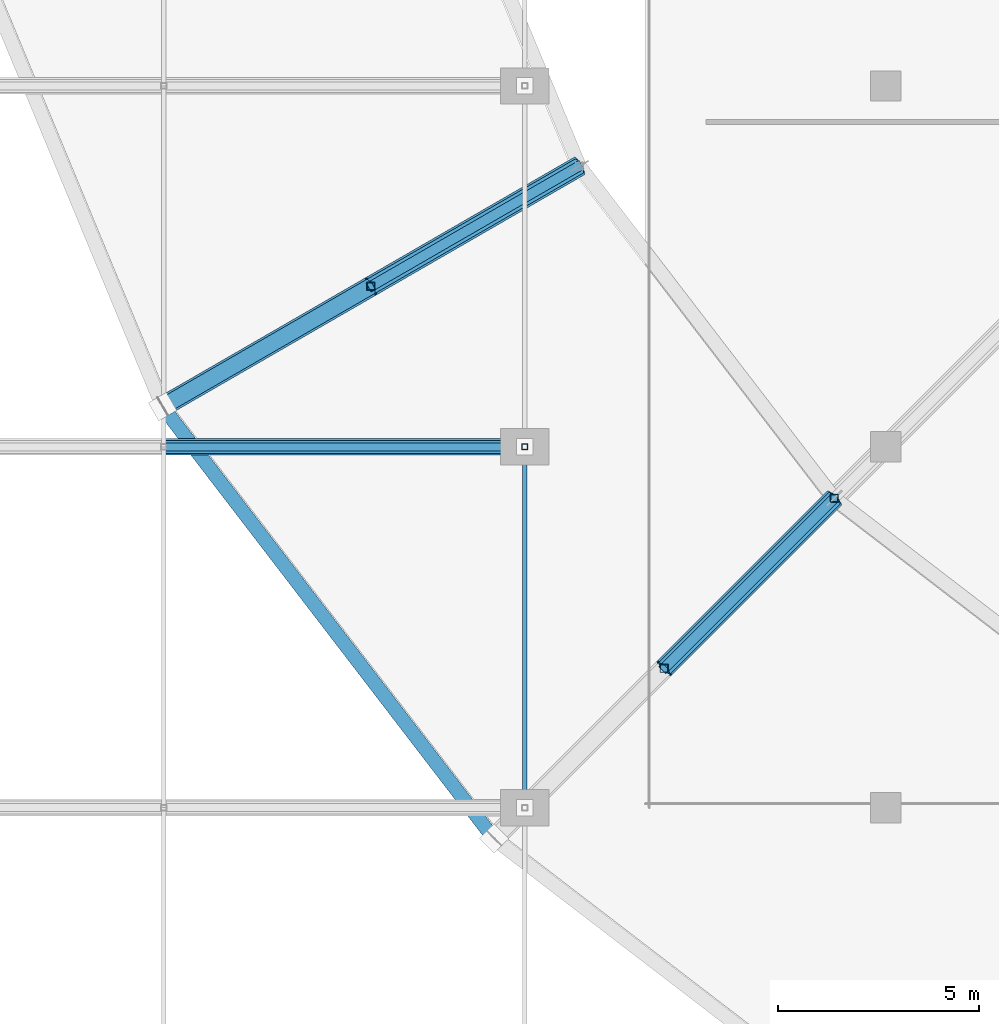
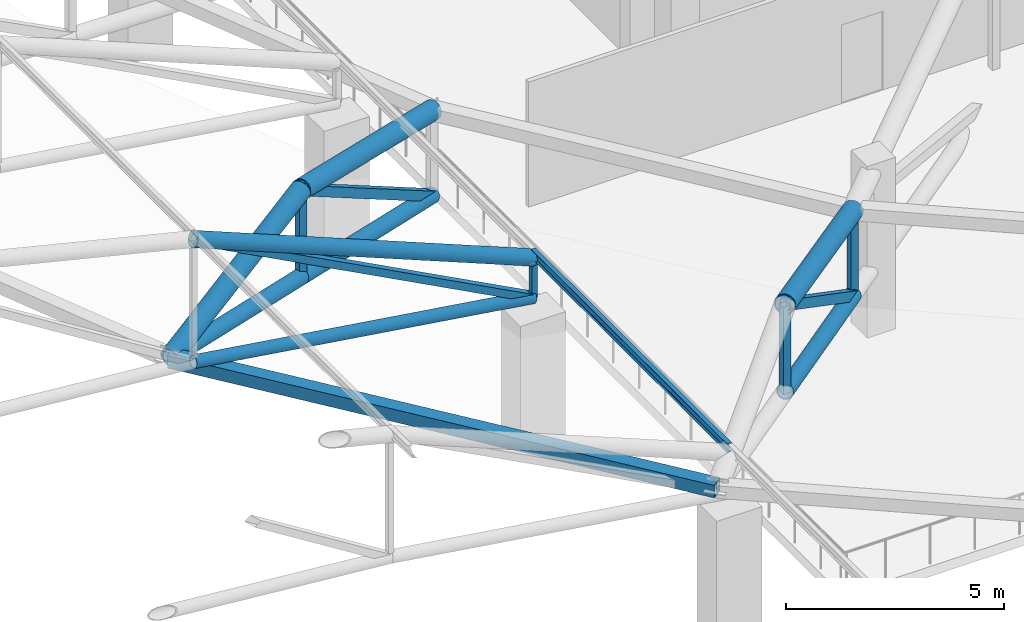
# One storey, part 20 of 167: 17 members.
"""IFC4 building model written with IfcOpenShell, lengths in metres."""

from ifc_helpers import new_model, si_unit, direction, frame, origin, origin_2d, place, context, subcontext, project, spatial, hollow_rectangle, hollow_circle, i_section, extrude, material, material_profile, profile_set, type_object, element, save


model = new_model("IFC4")

# Units and contexts
model_context = context("Model", 3, precision=1e-05, world=origin(), true_north=direction((0.0, 1.0)))
body_context = subcontext(model_context, "Body", "Model", "MODEL_VIEW")
ifc_project = project(units=[si_unit("LENGTHUNIT", "METRE"), si_unit("AREAUNIT", "SQUARE_METRE"), si_unit("VOLUMEUNIT", "CUBIC_METRE"), si_unit("PLANEANGLEUNIT", "RADIAN"), si_unit("MASSUNIT", "GRAM", prefix="KILO")], contexts=[model_context])

# Site, building, storey
site_placement = place(None, origin())
site = spatial("IfcSite", under=ifc_project, at=site_placement, CompositionType="ELEMENT")
building_placement = place(site_placement, origin())
building = spatial("IfcBuilding", under=site, at=building_placement, Name="Dornveld Trade and Exhibition Forum", CompositionType="ELEMENT")
storey_placement = place(building_placement, frame((0.0, 0.0, 16.800048828125)))
storey = spatial("IfcBuildingStorey", under=building, at=storey_placement, Name="L03", CompositionType="ELEMENT", Elevation=16.800048828125)

# Members
ifc_material_1 = material(Name="Steel S355J2", Category="steel")
ifc_material_profile_1 = material_profile(ifc_material_1, hollow_circle(Radius=0.161865234375, WallThickness=0.01611328125, at=origin_2d()), Name="CHS 323.9x16")
ifc_profile_set_1 = profile_set([ifc_material_profile_1], Name="Steel S355J2")
member_type_1 = type_object("IfcMemberType", Name="MEM-ARCH-BC", PredefinedType="CHORD", material=ifc_profile_set_1)
member_1_placement = place(storey_placement, frame((72.0, 54.0, 5.283203125), z_axis=(0.989204758987, 0.0, -0.146539908551), x_axis=(0.0, 1.0, 0.0)))
element("IfcMember", 1, at=member_1_placement, inside=storey, type_object=member_type_1, Name="H3 truss 3 tie chord 6", PredefinedType="CHORD", context=body_context, shape_type="SweptSolid", body=[
    extrude(hollow_circle(Radius=0.161865234375, WallThickness=0.01611328125, at=origin_2d()), origin(), (0.0, 0.0, 1.0), 9.09814453125),
])
ifc_material_2 = material(Name="Steel S355J2", Category="steel")
ifc_material_profile_2 = material_profile(ifc_material_2, hollow_rectangle(XDim=0.14990234375, YDim=0.14990234375, WallThickness=0.008056640625, at=origin_2d()), Name="SHS 150x150x8")
ifc_profile_set_2 = profile_set([ifc_material_profile_2], Name="Steel S355J2")
member_type_2 = type_object("IfcMemberType", Name="MEM-ARCH-STR", PredefinedType="STRUT", material=ifc_profile_set_2)
member_2_placement = place(storey_placement, frame((81.0, 54.0, 3.949951171875), z_axis=(0.0, 0.0, 1.0), x_axis=(1.0, 0.0, 0.0)))
element("IfcMember", 2, at=member_2_placement, inside=storey, type_object=member_type_2, Name="H3 truss 3 end strut", PredefinedType="STRUT", context=body_context, shape_type="SweptSolid", body=[
    extrude(hollow_rectangle(XDim=0.14990234375, YDim=0.14990234375, WallThickness=0.008056640625, at=origin_2d()), origin(), (0.0, 0.0, 1.0), 1.10009765625),
])
ifc_material_3 = material(Name="Steel S355J2", Category="steel")
ifc_material_profile_3 = material_profile(ifc_material_3, hollow_circle(Radius=0.203125, WallThickness=0.02001953125, at=origin_2d()), Name="CHS 406.4x20")
ifc_profile_set_3 = profile_set([ifc_material_profile_3], Name="Steel S355J2")
member_type_3 = type_object("IfcMemberType", Name="MEM-ARCH-TC", PredefinedType="CHORD", material=ifc_profile_set_3)
member_3_placement = place(storey_placement, frame((72.0, 54.0, 8.716552734375), z_axis=(0.926098211611, 0.0, -0.377282523383), x_axis=(0.0, 1.0, 0.0)))
element("IfcMember", 3, at=member_3_placement, inside=storey, type_object=member_type_3, Name="H3 truss 3 top chord 6", PredefinedType="CHORD", context=body_context, shape_type="SweptSolid", body=[
    extrude(hollow_circle(Radius=0.203125, WallThickness=0.02001953125, at=origin_2d()), origin(), (0.0, 0.0, 1.0), 9.71826171875),
])
ifc_material_4 = material(Name="Steel S355J2", Category="steel")
ifc_material_profile_4 = material_profile(ifc_material_4, hollow_rectangle(XDim=0.199951171875, YDim=0.199951171875, WallThickness=0.010009765625, at=origin_2d()), Name="SHS 200x200x10")
ifc_profile_set_4 = profile_set([ifc_material_profile_4], Name="Steel S355J2")
member_type_4 = type_object("IfcMemberType", Name="MEM-ARCH-WEB", PredefinedType="BRACE", material=ifc_profile_set_4)
member_4_placement = place(storey_placement, frame((81.0, 54.0, 3.949951171875), z_axis=(-0.883710934211, 0.0, 0.468033102201), x_axis=(0.0, -1.0, 0.0)))
element("IfcMember", 4, at=member_4_placement, inside=storey, type_object=member_type_4, Name="H3 truss 3 web 6", PredefinedType="BRACE", context=body_context, shape_type="SweptSolid", body=[
    extrude(hollow_rectangle(XDim=0.199951171875, YDim=0.199951171875, WallThickness=0.010009765625, at=origin_2d()), origin(), (0.0, 0.0, 1.0), 10.184326171875),
])
ifc_material_5 = material(Name="Steel S355J2", Category="steel")
ifc_material_profile_5 = material_profile(ifc_material_5, hollow_circle(Radius=0.203125, WallThickness=0.02001953125, at=origin_2d()), Name="CHS 406.4x20")
ifc_profile_set_5 = profile_set([ifc_material_profile_5], Name="Steel S355J2")
member_type_5 = type_object("IfcMemberType", Name="MEM-DISC-BC", PredefinedType="CHORD", material=ifc_profile_set_5)
for number, where, z_axis, x_axis, name in (
    (5, (82.35888671875, 61.0, 2.07568359375), (-0.844532722982, -0.487601282714, 0.221380823263), (0.500007758305, -0.866020924479, 0.0), "Roof disc radial R15 conical bottom chord 3"),
    (6, (77.162841796875, 58.0, 3.437744140625), (-0.844525303504, -0.487596998988, 0.221418559111), (0.500007758305, -0.866020924479, 0.0), "Roof disc radial R15 conical bottom chord 4"),
    (7, (88.7158203125, 52.7158203125, 2.07568359375), (-0.689562451292, -0.689562451292, 0.221375815155), (0.707106781187, -0.707106781187, 0.0), "Roof disc radial R16 conical bottom chord 3"),
):
    element("IfcMember", number, at=place(storey_placement, frame(where, z_axis=z_axis, x_axis=x_axis)), inside=storey, type_object=member_type_5, Name=name, PredefinedType="CHORD", context=body_context, shape_type="SweptSolid", body=[
        extrude(hollow_circle(Radius=0.203125, WallThickness=0.02001953125, at=origin_2d()), origin(), (0.0, 0.0, 1.0), 6.152587890625),
    ])
ifc_material_6 = material(Name="Steel S355J2", Category="steel")
ifc_material_profile_6 = material_profile(ifc_material_6, hollow_rectangle(XDim=0.35009765625, YDim=0.35009765625, WallThickness=0.01611328125, at=origin_2d()), Name="SHS 350x350x16")
ifc_profile_set_6 = profile_set([ifc_material_profile_6], Name="Steel S355J2")
member_type_6 = type_object("IfcMemberType", Name="MEM-DISC-RING", PredefinedType="CHORD", material=ifc_profile_set_6)
member_5_placement = place(storey_placement, frame((71.966796875, 55.0, 4.800048828125), z_axis=(0.608757714995, -0.79335619014, 0.0), x_axis=(0.79335619014, 0.608757714995, 0.0)))
element("IfcMember", 8, at=member_5_placement, inside=storey, type_object=member_type_6, Name="Roof disc ring 4 chord 15", PredefinedType="CHORD", context=body_context, shape_type="SweptSolid", body=[
    extrude(hollow_rectangle(XDim=0.35009765625, YDim=0.35009765625, WallThickness=0.01611328125, at=origin_2d()), origin(), (0.0, 0.0, 1.0), 13.57470703125),
])
ifc_material_7 = material(Name="Steel S355J2", Category="steel")
ifc_material_profile_7 = material_profile(ifc_material_7, hollow_rectangle(XDim=0.199951171875, YDim=0.199951171875, WallThickness=0.010009765625, at=origin_2d()), Name="SHS 200x200x10")
ifc_profile_set_7 = profile_set([ifc_material_profile_7], Name="Steel S355J2")
member_type_7 = type_object("IfcMemberType", Name="MEM-DISC-STR", PredefinedType="STRUT", material=ifc_profile_set_7)
member_6_placement = place(storey_placement, frame((77.162841796875, 58.0, 3.437744140625), z_axis=(0.0, 0.0, 1.0), x_axis=(1.0, 0.0, 0.0)))
element("IfcMember", 9, at=member_6_placement, inside=storey, type_object=member_type_7, Name="Roof disc radial R15 strut 4", PredefinedType="STRUT", context=body_context, shape_type="SweptSolid", body=[
    extrude(hollow_rectangle(XDim=0.199951171875, YDim=0.199951171875, WallThickness=0.010009765625, at=origin_2d()), origin(), (0.0, 0.0, 1.0), 2.437255859375),
])
member_7_placement = place(storey_placement, frame((88.7158203125, 52.7158203125, 2.07568359375), z_axis=(0.0, 0.0, 1.0), x_axis=(1.0, 0.0, 0.0)))
element("IfcMember", 10, at=member_7_placement, inside=storey, type_object=member_type_7, Name="Roof disc radial R16 strut 3", PredefinedType="STRUT", context=body_context, shape_type="SweptSolid", body=[
    extrude(hollow_rectangle(XDim=0.199951171875, YDim=0.199951171875, WallThickness=0.010009765625, at=origin_2d()), origin(), (0.0, 0.0, 1.0), 2.374267578125),
])
member_8_placement = place(storey_placement, frame((84.47314453125, 48.47314453125, 3.437744140625), z_axis=(0.0, 0.0, 1.0), x_axis=(1.0, 0.0, 0.0)))
element("IfcMember", 11, at=member_8_placement, inside=storey, type_object=member_type_7, Name="Roof disc radial R16 strut 4", PredefinedType="STRUT", context=body_context, shape_type="SweptSolid", body=[
    extrude(hollow_rectangle(XDim=0.199951171875, YDim=0.199951171875, WallThickness=0.010009765625, at=origin_2d()), origin(), (0.0, 0.0, 1.0), 2.437255859375),
])
ifc_material_8 = material(Name="Steel S355J2", Category="steel")
ifc_material_profile_8 = material_profile(ifc_material_8, hollow_circle(Radius=0.25390625, WallThickness=0.02490234375, at=origin_2d()), Name="CHS 508x25")
ifc_profile_set_8 = profile_set([ifc_material_profile_8], Name="Steel S355J2")
member_type_8 = type_object("IfcMemberType", Name="MEM-DISC-TC", PredefinedType="CHORD", material=ifc_profile_set_8)
member_9_placement = place(storey_placement, frame((82.35888671875, 61.0, 4.449951171875), z_axis=(-0.842581171387, -0.486474530565, 0.231083319898), x_axis=(0.500007758305, -0.866020924479, 0.0)))
element("IfcMember", 12, at=member_9_placement, inside=storey, type_object=member_type_8, Name="Roof disc radial R15 top chord 3", PredefinedType="CHORD", context=body_context, shape_type="SweptSolid", body=[
    extrude(hollow_circle(Radius=0.25390625, WallThickness=0.02490234375, at=origin_2d()), origin(), (0.0, 0.0, 1.0), 6.166748046875),
])
member_10_placement = place(storey_placement, frame((77.162841796875, 58.0, 5.875), z_axis=(-0.852447721385, -0.492171103715, -0.176353301567), x_axis=(0.500007758305, -0.866020924479, 0.0)))
element("IfcMember", 13, at=member_10_placement, inside=storey, type_object=member_type_8, Name="Roof disc radial R15 top chord 4", PredefinedType="CHORD", context=body_context, shape_type="SweptSolid", body=[
    extrude(hollow_circle(Radius=0.25390625, WallThickness=0.02490234375, at=origin_2d()), origin(), (0.0, 0.0, 1.0), 6.095458984375),
])
member_11_placement = place(storey_placement, frame((88.7158203125, 52.7158203125, 4.449951171875), z_axis=(-0.687969077833, -0.687969077833, 0.231078116429), x_axis=(0.707106781187, -0.707106781187, 0.0)))
element("IfcMember", 14, at=member_11_placement, inside=storey, type_object=member_type_8, Name="Roof disc radial R16 top chord 3", PredefinedType="CHORD", context=body_context, shape_type="SweptSolid", body=[
    extrude(hollow_circle(Radius=0.25390625, WallThickness=0.02490234375, at=origin_2d()), origin(), (0.0, 0.0, 1.0), 6.1669921875),
])
ifc_material_9 = material(Name="Steel S355J2", Category="steel")
ifc_material_profile_9 = material_profile(ifc_material_9, hollow_rectangle(XDim=0.25, YDim=0.25, WallThickness=0.012451171875, at=origin_2d()), Name="SHS 250x250x12.5")
ifc_profile_set_9 = profile_set([ifc_material_profile_9], Name="Steel S355J2")
member_type_9 = type_object("IfcMemberType", Name="MEM-DISC-WEB", PredefinedType="BRACE", material=ifc_profile_set_9)
member_12_placement = place(storey_placement, frame((82.35888671875, 61.0, 2.07568359375), z_axis=(-0.731665425973, -0.422435970228, 0.534989304092), x_axis=(0.500007758305, -0.866020924479, 0.0)))
element("IfcMember", 15, at=member_12_placement, inside=storey, type_object=member_type_9, Name="Roof disc radial R15 web 3", PredefinedType="BRACE", context=body_context, shape_type="SweptSolid", body=[
    extrude(hollow_rectangle(XDim=0.25, YDim=0.25, WallThickness=0.012451171875, at=origin_2d()), origin(), (0.0, 0.0, 1.0), 7.1015625),
])
member_13_placement = place(storey_placement, frame((88.7158203125, 52.7158203125, 2.07568359375), z_axis=(-0.59740947601, -0.59740947601, 0.534980220145), x_axis=(0.707106781187, -0.707106781187, 0.0)))
element("IfcMember", 16, at=member_13_placement, inside=storey, type_object=member_type_9, Name="Roof disc radial R16 web 3", PredefinedType="BRACE", context=body_context, shape_type="SweptSolid", body=[
    extrude(hollow_rectangle(XDim=0.25, YDim=0.25, WallThickness=0.012451171875, at=origin_2d()), origin(), (0.0, 0.0, 1.0), 7.101806640625),
])
ifc_material_10 = material(Name="Steel S355J2", Category="steel")
ifc_material_profile_10 = material_profile(ifc_material_10, i_section(OverallWidth=0.1201171875, OverallDepth=0.239990234375, WebThickness=0.006103515625, FlangeThickness=0.009765625, FilletRadius=0.014892578125, at=origin_2d()), Name="IPE 240")
ifc_profile_set_10 = profile_set([ifc_material_profile_10], Name="Steel S355J2")
member_type_10 = type_object("IfcMemberType", Name="MEM-PURLIN-240", PredefinedType="PURLIN", material=ifc_profile_set_10)
member_14_placement = place(storey_placement, frame((81.0, 45.0, 5.181884765625), z_axis=(0.0, 1.0, 0.0), x_axis=(-1.0, 0.0, 0.0)))
element("IfcMember", 17, at=member_14_placement, inside=storey, type_object=member_type_10, Name="H3 bay 2 roof purlin 7", PredefinedType="PURLIN", context=body_context, shape_type="SweptSolid", body=[
    extrude(i_section(OverallWidth=0.1201171875, OverallDepth=0.239990234375, WebThickness=0.006103515625, FlangeThickness=0.009765625, FilletRadius=0.014892578125, at=origin_2d()), origin(), (0.0, 0.0, 1.0), 9.0),
])

save(model, "model.ifc")
